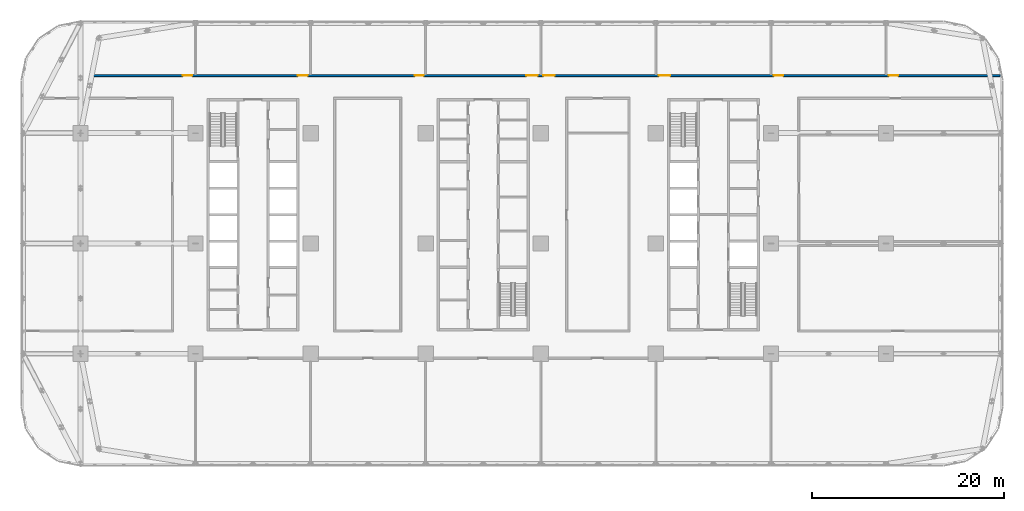
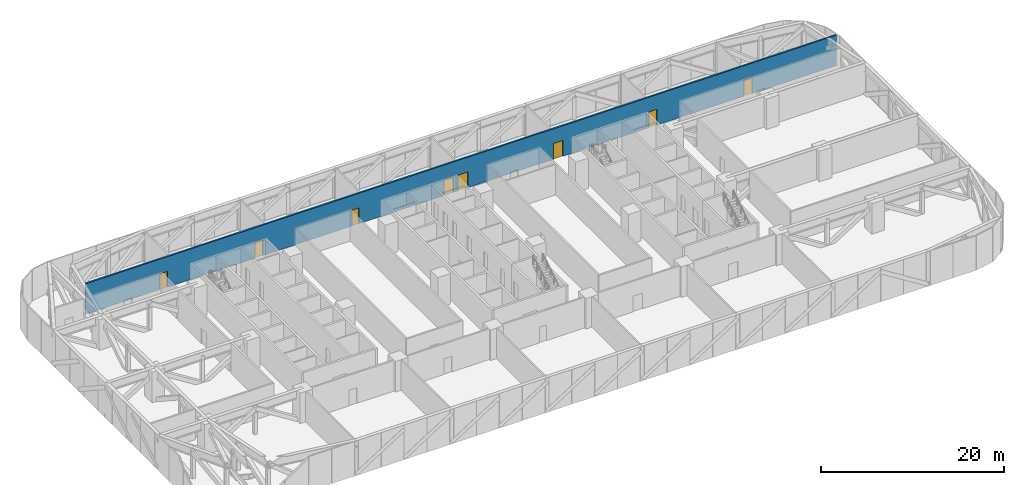
# One storey, part 11 of 25: 8 doors, 1 wall, 8 openings.
"""IFC4 building model written with IfcOpenShell, lengths in metres."""

from ifc_helpers import new_model, si_unit, direction, frame, frame_2d, origin, place, context, subcontext, project, spatial, rectangle, extrude, material, layer, layer_set, type_object, element, fill, save


model = new_model("IFC4")

# Units and contexts
model_context = context("Model", 3, precision=1e-05, world=origin(), true_north=direction((0.0, 1.0)))
body_context = subcontext(model_context, "Body", "Model", "MODEL_VIEW")
ifc_project = project(units=[si_unit("LENGTHUNIT", "METRE"), si_unit("AREAUNIT", "SQUARE_METRE"), si_unit("VOLUMEUNIT", "CUBIC_METRE"), si_unit("PLANEANGLEUNIT", "RADIAN"), si_unit("MASSUNIT", "GRAM", prefix="KILO")], contexts=[model_context])

# Site, building, storey
site_placement = place(None, origin())
site = spatial("IfcSite", under=ifc_project, at=site_placement, CompositionType="ELEMENT")
building_placement = place(site_placement, origin())
building = spatial("IfcBuilding", under=site, at=building_placement, Name="Mahtab Terrace Research Tower", CompositionType="ELEMENT")
storey_placement = place(building_placement, frame((0.0, 0.0, 41.60009765625)))
storey = spatial("IfcBuildingStorey", under=building, at=storey_placement, Name="L09", CompositionType="ELEMENT", Elevation=41.60009765625)

# Wall, openings, doors
ifc_material_1 = material(Name="Gypsum board corridor wall on steel studs", Category="steel")
ifc_layer = layer(ifc_material_1, 0.199951171875)
ifc_layer_set = layer_set([ifc_layer], Name="WALL CORRIDOR 200")
wall_type = type_object("IfcWallType", Name="WALL CORRIDOR 200", PredefinedType="PARTITIONING", material=ifc_layer_set)
wall_placement = place(storey_placement, frame((-40.62353515625, 17.5, 0.0), z_axis=(0.0, 0.0, 1.0), x_axis=(1.0, 0.0, 0.0)))
wall = element("IfcWall", 1, at=wall_placement, inside=storey, type_object=wall_type, Name="L09-W023", PredefinedType="PARTITIONING", context=body_context, shape_type="SweptSolid", body=[
    extrude(rectangle(XDim=94.52392578125, YDim=0.199951171875, at=frame_2d((47.261962890625, 0.0))), origin(), (0.0, 0.0, 1.0), 4.059814453125),
])
opening_1_placement = place(wall_placement, frame((9.300048828125, 0.0, 0.0)))
opening_1 = element("IfcOpeningElement", 2, at=opening_1_placement, cuts=wall, Name="Opening L09-117", PredefinedType="OPENING", context=body_context, shape_type="SweptSolid", body=[
    extrude(rectangle(XDim=1.0, YDim=2.10009765625, at=frame_2d((0.5, 1.050048828125))), frame((0.0, 0.10986328125, 0.0), z_axis=(0.0, -1.0, 0.0), x_axis=(1.0, 0.0, 0.0)), (0.0, 0.0, 1.0), 0.219970703125),
])
opening_2_placement = place(wall_placement, frame((21.300048828125, 0.0, 0.0)))
opening_2 = element("IfcOpeningElement", 3, at=opening_2_placement, cuts=wall, Name="Opening L09-118", PredefinedType="OPENING", context=body_context, shape_type="SweptSolid", body=[
    extrude(rectangle(XDim=1.0, YDim=2.10009765625, at=frame_2d((0.5, 1.050048828125))), frame((0.0, 0.10986328125, 0.0), z_axis=(0.0, -1.0, 0.0), x_axis=(1.0, 0.0, 0.0)), (0.0, 0.0, 1.0), 0.219970703125),
])
opening_3_placement = place(wall_placement, frame((33.5, 0.0, 0.0)))
opening_3 = element("IfcOpeningElement", 4, at=opening_3_placement, cuts=wall, Name="Opening L09-119", PredefinedType="OPENING", context=body_context, shape_type="SweptSolid", body=[
    extrude(rectangle(XDim=0.89990234375, YDim=2.10009765625, at=frame_2d((0.449951171875, 1.050048828125))), frame((0.0, 0.10986328125, 0.0), z_axis=(0.0, -1.0, 0.0), x_axis=(1.0, 0.0, 0.0)), (0.0, 0.0, 1.0), 0.219970703125),
])
opening_4_placement = place(wall_placement, frame((45.10009765625, 0.0, 0.0)))
opening_4 = element("IfcOpeningElement", 5, at=opening_4_placement, cuts=wall, Name="Opening L09-120", PredefinedType="OPENING", context=body_context, shape_type="SweptSolid", body=[
    extrude(rectangle(XDim=1.199951171875, YDim=2.10009765625, at=frame_2d((0.60009765625, 1.050048828125))), frame((0.0, 0.10986328125, 0.0), z_axis=(0.0, -1.0, 0.0), x_axis=(1.0, 0.0, 0.0)), (0.0, 0.0, 1.0), 0.219970703125),
])
opening_5_placement = place(wall_placement, frame((46.89990234375, 0.0, 0.0)))
opening_5 = element("IfcOpeningElement", 6, at=opening_5_placement, cuts=wall, Name="Opening L09-121", PredefinedType="OPENING", context=body_context, shape_type="SweptSolid", body=[
    extrude(rectangle(XDim=1.199951171875, YDim=2.10009765625, at=frame_2d((0.60009765625, 1.050048828125))), frame((0.0, 0.10986328125, 0.0), z_axis=(0.0, -1.0, 0.0), x_axis=(1.0, 0.0, 0.0)), (0.0, 0.0, 1.0), 0.219970703125),
])
opening_6_placement = place(wall_placement, frame((58.89990234375, 0.0, 0.0)))
opening_6 = element("IfcOpeningElement", 7, at=opening_6_placement, cuts=wall, Name="Opening L09-122", PredefinedType="OPENING", context=body_context, shape_type="SweptSolid", body=[
    extrude(rectangle(XDim=1.199951171875, YDim=2.10009765625, at=frame_2d((0.60009765625, 1.050048828125))), frame((0.0, 0.10986328125, 0.0), z_axis=(0.0, -1.0, 0.0), x_axis=(1.0, 0.0, 0.0)), (0.0, 0.0, 1.0), 0.219970703125),
])
opening_7_placement = place(wall_placement, frame((70.89990234375, 0.0, 0.0)))
opening_7 = element("IfcOpeningElement", 8, at=opening_7_placement, cuts=wall, Name="Opening L09-123", PredefinedType="OPENING", context=body_context, shape_type="SweptSolid", body=[
    extrude(rectangle(XDim=1.0, YDim=2.10009765625, at=frame_2d((0.5, 1.050048828125))), frame((0.0, 0.10986328125, 0.0), z_axis=(0.0, -1.0, 0.0), x_axis=(1.0, 0.0, 0.0)), (0.0, 0.0, 1.0), 0.219970703125),
])
opening_8_placement = place(wall_placement, frame((82.89990234375, 0.0, 0.0)))
opening_8 = element("IfcOpeningElement", 9, at=opening_8_placement, cuts=wall, Name="Opening L09-124", PredefinedType="OPENING", context=body_context, shape_type="SweptSolid", body=[
    extrude(rectangle(XDim=1.0, YDim=2.10009765625, at=frame_2d((0.5, 1.050048828125))), frame((0.0, 0.10986328125, 0.0), z_axis=(0.0, -1.0, 0.0), x_axis=(1.0, 0.0, 0.0)), (0.0, 0.0, 1.0), 0.219970703125),
])
ifc_material_2 = material(Name="Timber door leaf in steel frame", Category="steel")
door_type_1 = type_object("IfcDoorType", Name="DOOR 0900X2100 FD30S", OperationType="SINGLE_SWING_LEFT", PredefinedType="DOOR", material=ifc_material_2)
door_1_placement = place(opening_3_placement, origin())
door_1 = element("IfcDoor", 10, at=door_1_placement, inside=storey, type_object=door_type_1, Name="Door L09-119", OperationType="SINGLE_SWING_LEFT", OverallHeight=2.10009765625, OverallWidth=0.89990234375, PredefinedType="DOOR", context=body_context, shape_type="SweptSolid", body=[
    extrude(rectangle(XDim=0.89990234375, YDim=2.10009765625, at=frame_2d((0.449951171875, 1.050048828125))), frame((0.0, 0.02490234375, 0.0), z_axis=(0.0, -1.0, 0.0), x_axis=(1.0, 0.0, 0.0)), (0.0, 0.0, 1.0), 0.050048828125),
])
fill(opening_3, door_1)
door_type_2 = type_object("IfcDoorType", Name="DOOR 1000X2100 FD30S", OperationType="SINGLE_SWING_LEFT", PredefinedType="DOOR", material=ifc_material_2)
door_2_placement = place(opening_1_placement, origin())
door_2 = element("IfcDoor", 11, at=door_2_placement, inside=storey, type_object=door_type_2, Name="Door L09-117", OperationType="SINGLE_SWING_LEFT", OverallHeight=2.10009765625, OverallWidth=1.0, PredefinedType="DOOR", context=body_context, shape_type="SweptSolid", body=[
    extrude(rectangle(XDim=1.0, YDim=2.10009765625, at=frame_2d((0.5, 1.050048828125))), frame((0.0, 0.02490234375, 0.0), z_axis=(0.0, -1.0, 0.0), x_axis=(1.0, 0.0, 0.0)), (0.0, 0.0, 1.0), 0.050048828125),
])
fill(opening_1, door_2)
door_3_placement = place(opening_2_placement, origin())
door_3 = element("IfcDoor", 12, at=door_3_placement, inside=storey, type_object=door_type_2, Name="Door L09-118", OperationType="SINGLE_SWING_LEFT", OverallHeight=2.10009765625, OverallWidth=1.0, PredefinedType="DOOR", context=body_context, shape_type="SweptSolid", body=[
    extrude(rectangle(XDim=1.0, YDim=2.10009765625, at=frame_2d((0.5, 1.050048828125))), frame((0.0, 0.02490234375, 0.0), z_axis=(0.0, -1.0, 0.0), x_axis=(1.0, 0.0, 0.0)), (0.0, 0.0, 1.0), 0.050048828125),
])
fill(opening_2, door_3)
door_4_placement = place(opening_7_placement, origin())
door_4 = element("IfcDoor", 13, at=door_4_placement, inside=storey, type_object=door_type_2, Name="Door L09-123", OperationType="SINGLE_SWING_RIGHT", OverallHeight=2.10009765625, OverallWidth=1.0, PredefinedType="DOOR", context=body_context, shape_type="SweptSolid", body=[
    extrude(rectangle(XDim=1.0, YDim=2.10009765625, at=frame_2d((0.5, 1.050048828125))), frame((0.0, 0.02490234375, 0.0), z_axis=(0.0, -1.0, 0.0), x_axis=(1.0, 0.0, 0.0)), (0.0, 0.0, 1.0), 0.050048828125),
])
fill(opening_7, door_4)
door_5_placement = place(opening_8_placement, origin())
door_5 = element("IfcDoor", 14, at=door_5_placement, inside=storey, type_object=door_type_2, Name="Door L09-124", OperationType="SINGLE_SWING_RIGHT", OverallHeight=2.10009765625, OverallWidth=1.0, PredefinedType="DOOR", context=body_context, shape_type="SweptSolid", body=[
    extrude(rectangle(XDim=1.0, YDim=2.10009765625, at=frame_2d((0.5, 1.050048828125))), frame((0.0, 0.02490234375, 0.0), z_axis=(0.0, -1.0, 0.0), x_axis=(1.0, 0.0, 0.0)), (0.0, 0.0, 1.0), 0.050048828125),
])
fill(opening_8, door_5)
door_type_3 = type_object("IfcDoorType", Name="DOOR 1200X2100 FD30S", OperationType="SINGLE_SWING_LEFT", PredefinedType="DOOR", material=ifc_material_2)
door_6_placement = place(opening_4_placement, origin())
door_6 = element("IfcDoor", 15, at=door_6_placement, inside=storey, type_object=door_type_3, Name="Door L09-120", OperationType="SINGLE_SWING_LEFT", OverallHeight=2.10009765625, OverallWidth=1.199951171875, PredefinedType="DOOR", context=body_context, shape_type="SweptSolid", body=[
    extrude(rectangle(XDim=1.199951171875, YDim=2.10009765625, at=frame_2d((0.60009765625, 1.050048828125))), frame((0.0, 0.02490234375, 0.0), z_axis=(0.0, -1.0, 0.0), x_axis=(1.0, 0.0, 0.0)), (0.0, 0.0, 1.0), 0.050048828125),
])
fill(opening_4, door_6)
door_7_placement = place(opening_5_placement, origin())
door_7 = element("IfcDoor", 16, at=door_7_placement, inside=storey, type_object=door_type_3, Name="Door L09-121", OperationType="SINGLE_SWING_RIGHT", OverallHeight=2.10009765625, OverallWidth=1.199951171875, PredefinedType="DOOR", context=body_context, shape_type="SweptSolid", body=[
    extrude(rectangle(XDim=1.199951171875, YDim=2.10009765625, at=frame_2d((0.60009765625, 1.050048828125))), frame((0.0, 0.02490234375, 0.0), z_axis=(0.0, -1.0, 0.0), x_axis=(1.0, 0.0, 0.0)), (0.0, 0.0, 1.0), 0.050048828125),
])
fill(opening_5, door_7)
door_8_placement = place(opening_6_placement, origin())
door_8 = element("IfcDoor", 17, at=door_8_placement, inside=storey, type_object=door_type_3, Name="Door L09-122", OperationType="SINGLE_SWING_RIGHT", OverallHeight=2.10009765625, OverallWidth=1.199951171875, PredefinedType="DOOR", context=body_context, shape_type="SweptSolid", body=[
    extrude(rectangle(XDim=1.199951171875, YDim=2.10009765625, at=frame_2d((0.60009765625, 1.050048828125))), frame((0.0, 0.02490234375, 0.0), z_axis=(0.0, -1.0, 0.0), x_axis=(1.0, 0.0, 0.0)), (0.0, 0.0, 1.0), 0.050048828125),
])
fill(opening_6, door_8)

save(model, "model.ifc")
